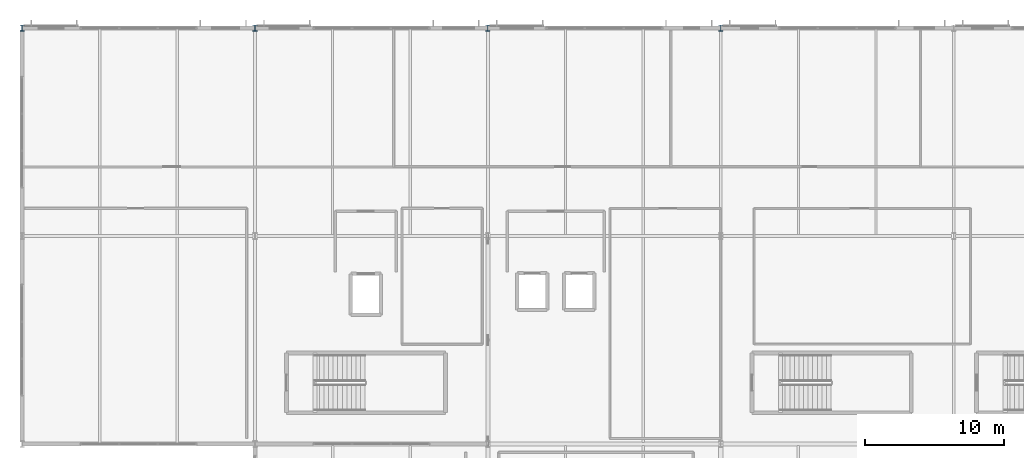
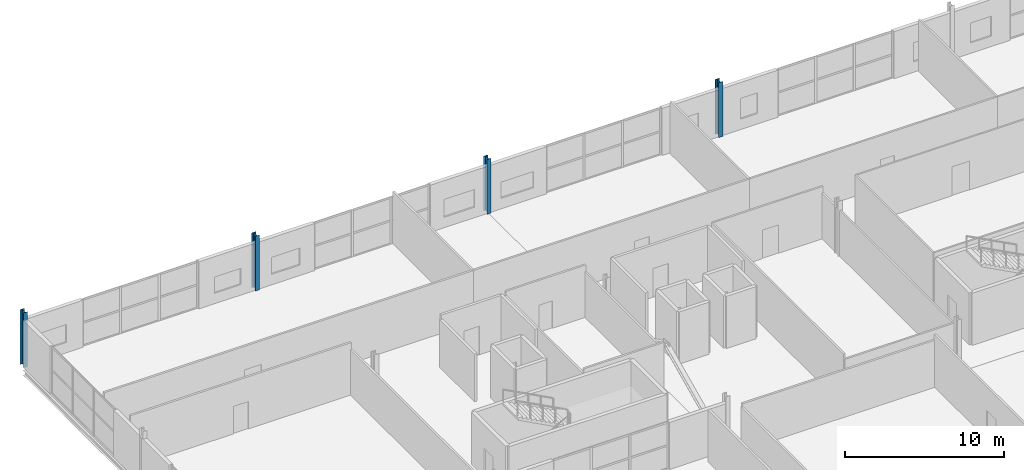
# One storey, part 5 of 39: 4 columns.
"""IFC4 building model written with IfcOpenShell, lengths in metres."""

from ifc_helpers import new_model, si_unit, direction, frame, origin, origin_2d, place, context, subcontext, project, spatial, i_section, extrude, material, material_profile, profile_set, type_object, element, save


model = new_model("IFC4")

# Units and contexts
model_context = context("Model", 3, precision=1e-05, world=origin(), true_north=direction((0.0, 1.0)))
body_context = subcontext(model_context, "Body", "Model", "MODEL_VIEW")
ifc_project = project(units=[si_unit("LENGTHUNIT", "METRE"), si_unit("AREAUNIT", "SQUARE_METRE"), si_unit("VOLUMEUNIT", "CUBIC_METRE"), si_unit("PLANEANGLEUNIT", "RADIAN"), si_unit("MASSUNIT", "GRAM", prefix="KILO")], contexts=[model_context])

# Site, building, storey
site_placement = place(None, origin())
site = spatial("IfcSite", under=ifc_project, at=site_placement, CompositionType="ELEMENT")
building_placement = place(site_placement, origin())
building = spatial("IfcBuilding", under=site, at=building_placement, Name="Kimbaza Rail Terminus", CompositionType="ELEMENT")
storey_placement = place(building_placement, frame((0.0, 0.0, 16.800048828125)))
storey = spatial("IfcBuildingStorey", under=building, at=storey_placement, Name="L03", CompositionType="ELEMENT", Elevation=16.800048828125)

# Columns
ifc_material = material(Name="Steel S355", Category="steel")
ifc_material_profile = material_profile(ifc_material, i_section(OverallWidth=0.300048828125, OverallDepth=0.449951171875, WebThickness=0.013916015625, FlangeThickness=0.02587890625, FilletRadius=0.027099609375, at=origin_2d()), Name="HEB 450")
ifc_profile_set = profile_set([ifc_material_profile], Name="Steel S355")
column_type = type_object("IfcColumnType", Name="STR-COL-HEB450", PredefinedType="COLUMN", material=ifc_profile_set)
for number, where, z_axis, x_axis, name in (
    (1, (55.199951171875, 133.0, 0.0), (0.0, 0.0, 1.0), (1.0, 0.0, 0.0), "Operations Column L03 (0,2)"),
    (2, (72.0, 133.0, 0.0), (0.0, 0.0, 1.0), (1.0, 0.0, 0.0), "Operations Column L03 (1,2)"),
    (3, (88.800048828125, 133.0, 0.0), (0.0, 0.0, 1.0), (1.0, 0.0, 0.0), "Operations Column L03 (2,2)"),
    (4, (105.60009765625, 133.0, 0.0), (0.0, 0.0, 1.0), (1.0, 0.0, 0.0), "Operations Column L03 (3,2)"),
):
    element("IfcColumn", number, at=place(storey_placement, frame(where, z_axis=z_axis, x_axis=x_axis)), inside=storey, type_object=column_type, Name=name, PredefinedType="COLUMN", context=body_context, shape_type="SweptSolid", body=[
        extrude(i_section(OverallWidth=0.300048828125, OverallDepth=0.449951171875, WebThickness=0.013916015625, FlangeThickness=0.02587890625, FilletRadius=0.027099609375, at=origin_2d()), origin(), (0.0, 0.0, 1.0), 4.199951171875),
    ])

save(model, "model.ifc")
